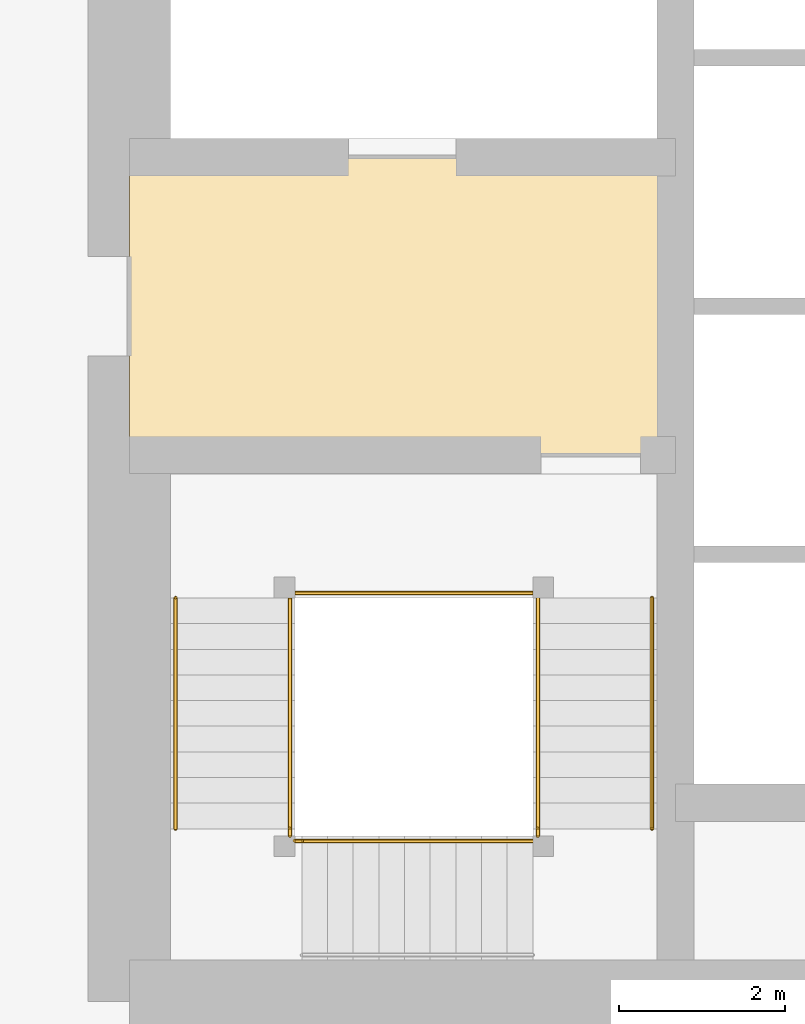
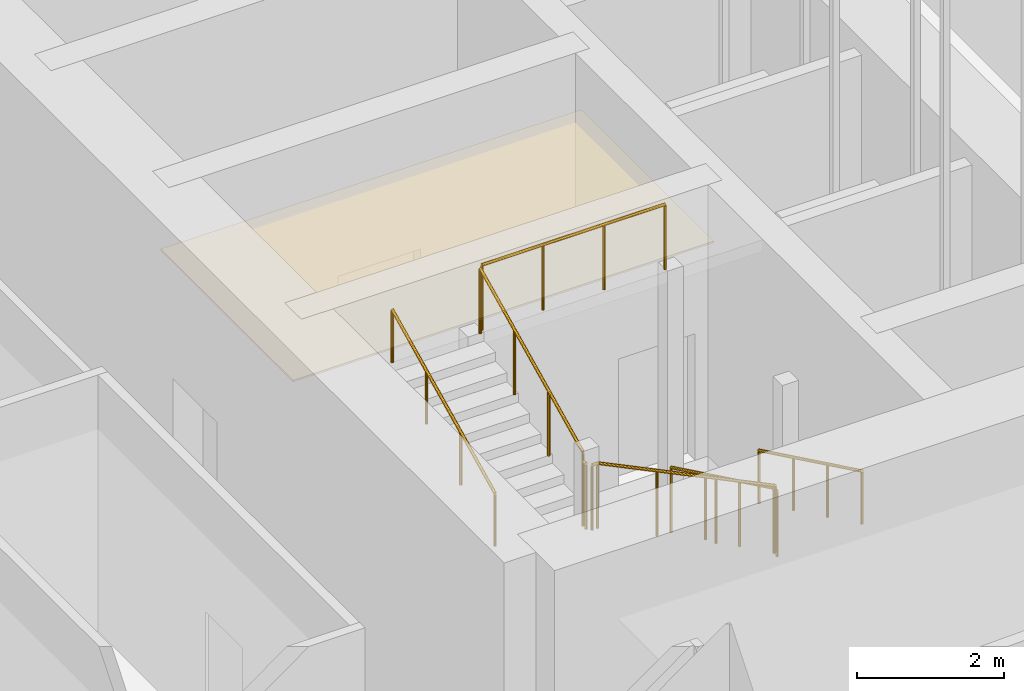
# One storey, part 24 of 44: 9 railings, 1 covering.
"""IFC4 building model written with IfcOpenShell, lengths in metres."""

from ifc_helpers import new_model, si_unit, direction, frame, origin, origin_2d, place, context, subcontext, project, spatial, polyline, circle, outline, extrude, material, layer, layer_set, type_object, element, save


model = new_model("IFC4")

# Units and contexts
model_context = context("Model", 3, precision=1e-05, world=origin(), true_north=direction((0.0, 1.0)))
body_context = subcontext(model_context, "Body", "Model", "MODEL_VIEW")
ifc_project = project(units=[si_unit("LENGTHUNIT", "METRE"), si_unit("AREAUNIT", "SQUARE_METRE"), si_unit("VOLUMEUNIT", "CUBIC_METRE"), si_unit("PLANEANGLEUNIT", "RADIAN"), si_unit("MASSUNIT", "GRAM", prefix="KILO")], contexts=[model_context])

# Site, building, storey
site_placement = place(None, origin())
site = spatial("IfcSite", under=ifc_project, at=site_placement, CompositionType="ELEMENT")
building_placement = place(site_placement, origin())
building = spatial("IfcBuilding", under=site, at=building_placement, Name="Rekha Terrace Tower", CompositionType="ELEMENT")
storey_placement = place(building_placement, frame((0.0, 0.0, 90.800048828125)))
storey = spatial("IfcBuildingStorey", under=building, at=storey_placement, Name="L22", CompositionType="ELEMENT", Elevation=90.800048828125)

# Covering
ifc_material_1 = material(Name="Powder-coated aluminium pan", Category="aluminium")
ifc_layer = layer(ifc_material_1, 0.030029296875)
ifc_layer_set = layer_set([ifc_layer], Name="Powder-coated aluminium pan")
covering_type = type_object("IfcCoveringType", Name="CL3 300x1200 metal pan ceiling", PredefinedType="CEILING", material=ifc_layer_set)
covering_placement = place(storey_placement, frame((0.0, 0.0, 3.320068359375)))
element("IfcCovering", 1, at=covering_placement, inside=storey, type_object=covering_type, Name="Ceiling L22-FLB1", PredefinedType="CEILING", context=body_context, shape_type="SweptSolid", body=[
    extrude(outline(polyline([(31.800048828125, 31.199951171875), (25.199951171875, 31.199951171875), (25.199951171875, 27.60009765625), (31.800048828125, 27.60009765625), (31.800048828125, 31.199951171875)])), origin(), (0.0, 0.0, 1.0), 0.02978515625),
])

# Railings
ifc_material_2 = material(Name="Stainless steel balustrade", Category="steel")
railing_type_1 = type_object("IfcRailingType", Name="GR1 1100 stair guard", PredefinedType="GUARDRAIL", material=ifc_material_2)
railing_1_placement = place(storey_placement, frame((30.135009765625, 25.875, 0.14990234375)))
element("IfcRailing", 2, at=railing_1_placement, inside=storey, type_object=railing_type_1, Name="Guard ST1 L22 flight 1", PredefinedType="GUARDRAIL", context=body_context, shape_type="SweptSolid", body=[
    extrude(circle(Radius=0.02392578125, at=origin_2d()), frame((0.0, 0.0, 1.076171875), z_axis=(0.0, -0.90014928908, 0.43558151633), x_axis=(1.0, 0.0, 0.0)), (0.0, 0.0, 1.0), 3.099609375),
    extrude(circle(Radius=0.02099609375, at=origin_2d()), origin(), (0.0, 0.0, 1.0), 1.052001953125),
    extrude(circle(Radius=0.02099609375, at=origin_2d()), frame((0.0, -0.929931640625, 0.449951171875)), (0.0, 0.0, 1.0), 1.052001953125),
    extrude(circle(Radius=0.02099609375, at=origin_2d()), frame((0.0, -1.860107421875, 0.900146484375)), (0.0, 0.0, 1.0), 1.052001953125),
    extrude(circle(Radius=0.02099609375, at=origin_2d()), frame((0.0, -2.7900390625, 1.35009765625)), (0.0, 0.0, 1.0), 1.052001953125),
])
railing_2_placement = place(storey_placement, frame((30.074951171875, 22.93994140625, 1.64990234375)))
element("IfcRailing", 3, at=railing_2_placement, inside=storey, type_object=railing_type_1, Name="Guard ST1 L22 flight 2", PredefinedType="GUARDRAIL", context=body_context, shape_type="SweptSolid", body=[
    extrude(circle(Radius=0.02392578125, at=origin_2d()), frame((0.0, 0.0, 1.076171875), z_axis=(-0.90014928908, 0.0, 0.43558151633), x_axis=(0.0, -1.0, 0.0)), (0.0, 0.0, 1.0), 3.099609375),
    extrude(circle(Radius=0.02099609375, at=origin_2d()), origin(), (0.0, 0.0, 1.0), 1.052001953125),
    extrude(circle(Radius=0.02099609375, at=origin_2d()), frame((-0.929931640625, 0.0, 0.449951171875)), (0.0, 0.0, 1.0), 1.052001953125),
    extrude(circle(Radius=0.02099609375, at=origin_2d()), frame((-1.860107421875, 0.0, 0.900146484375)), (0.0, 0.0, 1.0), 1.052001953125),
    extrude(circle(Radius=0.02099609375, at=origin_2d()), frame((-2.7900390625, 0.0, 1.35009765625)), (0.0, 0.0, 1.0), 1.052001953125),
])
railing_3_placement = place(storey_placement, frame((27.139892578125, 23.0849609375, 3.14990234375)))
element("IfcRailing", 4, at=railing_3_placement, inside=storey, type_object=railing_type_1, Name="Guard ST1 L22 flight 3", PredefinedType="GUARDRAIL", context=body_context, shape_type="SweptSolid", body=[
    extrude(circle(Radius=0.02392578125, at=origin_2d()), frame((0.0, 0.0, 1.076171875), z_axis=(0.0, 0.90014928908, 0.43558151633), x_axis=(-1.0, 0.0, 0.0)), (0.0, 0.0, 1.0), 3.099609375),
    extrude(circle(Radius=0.02099609375, at=origin_2d()), origin(), (0.0, 0.0, 1.0), 1.052001953125),
    extrude(circle(Radius=0.02099609375, at=origin_2d()), frame((0.0, 0.929931640625, 0.449951171875)), (0.0, 0.0, 1.0), 1.052001953125),
    extrude(circle(Radius=0.02099609375, at=origin_2d()), frame((0.0, 1.860107421875, 0.900146484375)), (0.0, 0.0, 1.0), 1.052001953125),
    extrude(circle(Radius=0.02099609375, at=origin_2d()), frame((0.0, 2.7900390625, 1.35009765625)), (0.0, 0.0, 1.0), 1.052001953125),
])
railing_4_placement = place(storey_placement, frame((30.135009765625, 23.0849609375, 1.5)))
element("IfcRailing", 5, at=railing_4_placement, inside=storey, type_object=railing_type_1, Name="Guard ST1 L22 landing 1", PredefinedType="GUARDRAIL", context=body_context, shape_type="SweptSolid", body=[
    extrude(circle(Radius=0.02392578125, at=origin_2d()), frame((0.0, 0.0, 1.076171875), z_axis=(0.0, -1.0, 0.0), x_axis=(1.0, 0.0, 0.0)), (0.0, 0.0, 1.0), 0.0849609375),
    extrude(circle(Radius=0.02099609375, at=origin_2d()), origin(), (0.0, 0.0, 1.0), 1.052001953125),
    extrude(circle(Radius=0.02099609375, at=origin_2d()), frame((0.0, -0.0849609375, 0.0)), (0.0, 0.0, 1.0), 1.052001953125),
])
railing_5_placement = place(storey_placement, frame((27.284912109375, 22.93994140625, 3.0)))
element("IfcRailing", 6, at=railing_5_placement, inside=storey, type_object=railing_type_1, Name="Guard ST1 L22 landing 2", PredefinedType="GUARDRAIL", context=body_context, shape_type="SweptSolid", body=[
    extrude(circle(Radius=0.02392578125, at=origin_2d()), frame((0.0, 0.0, 1.076171875), z_axis=(-1.0, 0.0, 0.0), x_axis=(0.0, -1.0, 0.0)), (0.0, 0.0, 1.0), 0.0849609375),
    extrude(circle(Radius=0.02099609375, at=origin_2d()), origin(), (0.0, 0.0, 1.0), 1.052001953125),
    extrude(circle(Radius=0.02099609375, at=origin_2d()), frame((-0.0849609375, 0.0, 0.0)), (0.0, 0.0, 1.0), 1.052001953125),
])
railing_6_placement = place(storey_placement, frame((27.139892578125, 23.0849609375, 3.0)))
element("IfcRailing", 7, at=railing_6_placement, inside=storey, type_object=railing_type_1, Name="Guard ST1 L22 landing 3", PredefinedType="GUARDRAIL", context=body_context, shape_type="SweptSolid", body=[
    extrude(circle(Radius=0.02392578125, at=origin_2d()), frame((0.0, 0.0, 1.076171875), z_axis=(0.0, -1.0, 0.0), x_axis=(1.0, 0.0, 0.0)), (0.0, 0.0, 1.0), 0.0849609375),
    extrude(circle(Radius=0.02099609375, at=origin_2d()), origin(), (0.0, 0.0, 1.0), 1.052001953125),
    extrude(circle(Radius=0.02099609375, at=origin_2d()), frame((0.0, -0.0849609375, 0.0)), (0.0, 0.0, 1.0), 1.052001953125),
])
railing_7_placement = place(storey_placement, frame((30.074951171875, 25.93505859375, 4.5)))
element("IfcRailing", 8, at=railing_7_placement, inside=storey, type_object=railing_type_1, Name="Guard ST1 L22 landing 4", PredefinedType="GUARDRAIL", context=body_context, shape_type="SweptSolid", body=[
    extrude(circle(Radius=0.02392578125, at=origin_2d()), frame((0.0, 0.0, 1.076171875), z_axis=(-1.0, 0.0, 0.0), x_axis=(0.0, -1.0, 0.0)), (0.0, 0.0, 1.0), 2.875),
    extrude(circle(Radius=0.02099609375, at=origin_2d()), origin(), (0.0, 0.0, 1.0), 1.052001953125),
    extrude(circle(Radius=0.02099609375, at=origin_2d()), frame((-0.958251953125, 0.0, 0.0)), (0.0, 0.0, 1.0), 1.052001953125),
    extrude(circle(Radius=0.02099609375, at=origin_2d()), frame((-1.916748046875, 0.0, 0.0)), (0.0, 0.0, 1.0), 1.052001953125),
    extrude(circle(Radius=0.02099609375, at=origin_2d()), frame((-2.875, 0.0, 0.0)), (0.0, 0.0, 1.0), 1.052001953125),
])
ifc_material_3 = material(Name="Stainless steel tube", Category="steel")
railing_type_2 = type_object("IfcRailingType", Name="HR1 900 stair handrail", PredefinedType="HANDRAIL", material=ifc_material_3)
railing_8_placement = place(storey_placement, frame((31.514892578125, 25.875, 0.14990234375)))
element("IfcRailing", 9, at=railing_8_placement, inside=storey, type_object=railing_type_2, Name="Handrail ST1 L22 flight 1", PredefinedType="HANDRAIL", context=body_context, shape_type="SweptSolid", body=[
    extrude(circle(Radius=0.02392578125, at=origin_2d()), frame((0.0, 0.0, 0.8759765625), z_axis=(0.0, -0.90014928908, 0.43558151633), x_axis=(1.0, 0.0, 0.0)), (0.0, 0.0, 1.0), 3.099609375),
    extrude(circle(Radius=0.02099609375, at=origin_2d()), origin(), (0.0, 0.0, 1.0), 0.851806640625),
    extrude(circle(Radius=0.02099609375, at=origin_2d()), frame((0.0, -0.929931640625, 0.449951171875)), (0.0, 0.0, 1.0), 0.851806640625),
    extrude(circle(Radius=0.02099609375, at=origin_2d()), frame((0.0, -1.860107421875, 0.900146484375)), (0.0, 0.0, 1.0), 0.851806640625),
    extrude(circle(Radius=0.02099609375, at=origin_2d()), frame((0.0, -2.7900390625, 1.35009765625)), (0.0, 0.0, 1.0), 0.851806640625),
])
railing_9_placement = place(storey_placement, frame((25.760009765625, 23.0849609375, 3.14990234375)))
element("IfcRailing", 10, at=railing_9_placement, inside=storey, type_object=railing_type_2, Name="Handrail ST1 L22 flight 3", PredefinedType="HANDRAIL", context=body_context, shape_type="SweptSolid", body=[
    extrude(circle(Radius=0.02392578125, at=origin_2d()), frame((0.0, 0.0, 0.8759765625), z_axis=(0.0, 0.90014928908, 0.43558151633), x_axis=(-1.0, 0.0, 0.0)), (0.0, 0.0, 1.0), 3.099609375),
    extrude(circle(Radius=0.02099609375, at=origin_2d()), origin(), (0.0, 0.0, 1.0), 0.851806640625),
    extrude(circle(Radius=0.02099609375, at=origin_2d()), frame((0.0, 0.929931640625, 0.449951171875)), (0.0, 0.0, 1.0), 0.851806640625),
    extrude(circle(Radius=0.02099609375, at=origin_2d()), frame((0.0, 1.860107421875, 0.900146484375)), (0.0, 0.0, 1.0), 0.851806640625),
    extrude(circle(Radius=0.02099609375, at=origin_2d()), frame((0.0, 2.7900390625, 1.35009765625)), (0.0, 0.0, 1.0), 0.851806640625),
])

save(model, "model.ifc")
